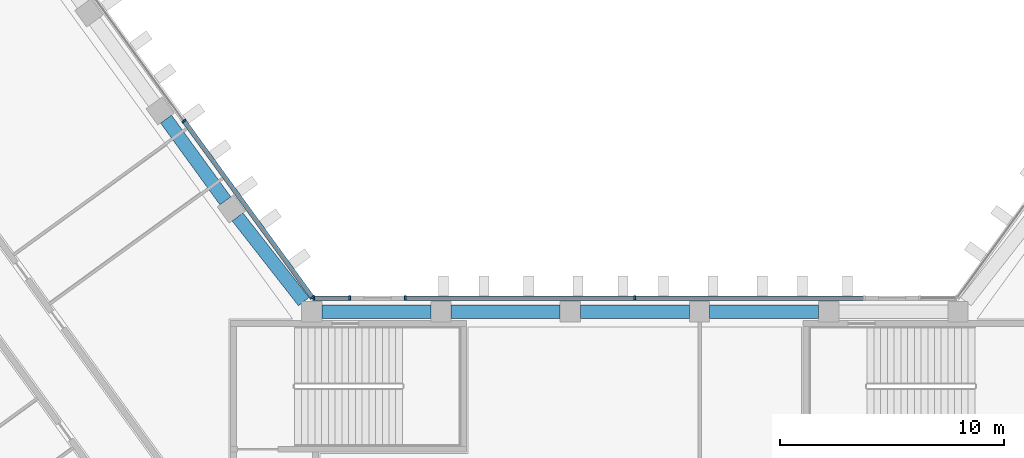
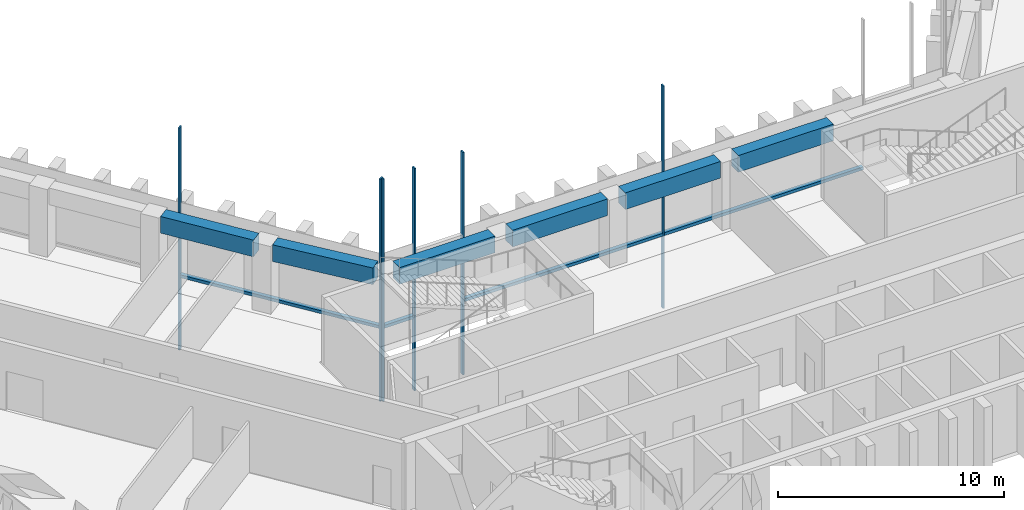
# One storey, part 3 of 16: 10 members, 6 beams, 3 elements without a shape of their own.
"""IFC4 building model written with IfcOpenShell, lengths in metres."""

from ifc_helpers import new_model, si_unit, direction, frame, origin, origin_2d, place, context, subcontext, project, spatial, rectangle, extrude, material, material_profile, profile_set, type_object, element, aggregate, save


model = new_model("IFC4")

# Units and contexts
model_context = context("Model", 3, precision=1e-05, world=origin(), true_north=direction((0.0, 1.0)))
body_context = subcontext(model_context, "Body", "Model", "MODEL_VIEW")
ifc_project = project(units=[si_unit("LENGTHUNIT", "METRE"), si_unit("AREAUNIT", "SQUARE_METRE"), si_unit("VOLUMEUNIT", "CUBIC_METRE"), si_unit("PLANEANGLEUNIT", "RADIAN"), si_unit("MASSUNIT", "GRAM", prefix="KILO")], contexts=[model_context])

# Site, building, storey
site_placement = place(None, origin())
site = spatial("IfcSite", under=ifc_project, at=site_placement, CompositionType="ELEMENT")
building_placement = place(site_placement, origin())
building = spatial("IfcBuilding", under=site, at=building_placement, Name="Quipu Civic Tower", CompositionType="ELEMENT")
storey_placement = place(building_placement, frame((0.0, 0.0, 89.0)))
storey = spatial("IfcBuildingStorey", under=building, at=storey_placement, Name="L20", CompositionType="ELEMENT", Elevation=89.0)

# Curtain wall, members
ifc_material_1 = material(Name="Insulated glass unit", Category="glass")
curtain_wall_type = type_object("IfcCurtainWallType", Name="Office curtain wall CW1", PredefinedType="NOTDEFINED", material=ifc_material_1)
curtain_wall_1_placement = place(storey_placement, origin())
curtain_wall_1 = element("IfcCurtainWall", 1, at=curtain_wall_1_placement, inside=storey, type_object=curtain_wall_type, Name="Office curtain wall CW1 L19 run 14", PredefinedType="NOTDEFINED")
ifc_material_2 = material(Name="Anodised aluminium", Category="aluminium")
ifc_material_profile_1 = material_profile(ifc_material_2, rectangle(XDim=0.199951171875, YDim=0.080078125, at=origin_2d()), Name="RECT 200x80")
ifc_profile_set_1 = profile_set([ifc_material_profile_1], Name="Anodised aluminium")
member_type_1 = type_object("IfcMemberType", Name="Mullion CW1", PredefinedType="MULLION", material=ifc_profile_set_1)
member_1_placement = place(storey_placement, frame((0.0, 11.10009765625, -3.919921875), z_axis=(0.0, 0.0, 1.0), x_axis=(0.0, -1.0, 0.0)))
member_1 = element("IfcMember", 2, at=member_1_placement, type_object=member_type_1, Name="CW1 mullion 2", PredefinedType="MULLION", context=body_context, shape_type="SweptSolid", body=[
    extrude(rectangle(XDim=0.199951171875, YDim=0.080078125, at=origin_2d()), origin(), (0.0, 0.0, 1.0), 12.0),
])
member_2_placement = place(storey_placement, frame((-10.223388671875, 11.10009765625, -3.919921875), z_axis=(0.0, 0.0, 1.0), x_axis=(0.0, -1.0, 0.0)))
member_2 = element("IfcMember", 3, at=member_2_placement, type_object=member_type_1, Name="CW1 mullion 3", PredefinedType="MULLION", context=body_context, shape_type="SweptSolid", body=[
    extrude(rectangle(XDim=0.199951171875, YDim=0.080078125, at=origin_2d()), origin(), (0.0, 0.0, 1.0), 12.0),
])

curtain_wall_2_placement = place(storey_placement, origin())
curtain_wall_2 = element("IfcCurtainWall", 4, at=curtain_wall_2_placement, inside=storey, type_object=curtain_wall_type, Name="Office curtain wall CW1 L19 run 16", PredefinedType="NOTDEFINED")
member_3_placement = place(storey_placement, frame((-12.695068359375, 11.10009765625, -3.919921875), z_axis=(0.0, 0.0, 1.0), x_axis=(0.0, -1.0, 0.0)))
member_3 = element("IfcMember", 5, at=member_3_placement, type_object=member_type_1, Name="CW1 mullion 1", PredefinedType="MULLION", context=body_context, shape_type="SweptSolid", body=[
    extrude(rectangle(XDim=0.199951171875, YDim=0.080078125, at=origin_2d()), origin(), (0.0, 0.0, 1.0), 12.0),
])
member_4_placement = place(storey_placement, frame((-14.30419921875, 11.10009765625, -3.919921875), z_axis=(0.0, 0.0, 1.0), x_axis=(0.0, -1.0, 0.0)))
member_4 = element("IfcMember", 6, at=member_4_placement, type_object=member_type_1, Name="CW1 mullion 2", PredefinedType="MULLION", context=body_context, shape_type="SweptSolid", body=[
    extrude(rectangle(XDim=0.199951171875, YDim=0.080078125, at=origin_2d()), origin(), (0.0, 0.0, 1.0), 12.0),
])

curtain_wall_3_placement = place(storey_placement, origin())
curtain_wall_3 = element("IfcCurtainWall", 7, at=curtain_wall_3_placement, inside=storey, type_object=curtain_wall_type, Name="Office curtain wall CW1 L19 run 17", PredefinedType="NOTDEFINED")
member_5_placement = place(storey_placement, frame((-14.36767578125, 11.13232421875, -3.919921875), z_axis=(0.0, 0.0, 1.0), x_axis=(-0.809016532822, -0.587785887566, 0.0)))
member_5 = element("IfcMember", 8, at=member_5_placement, type_object=member_type_1, Name="CW1 mullion 1", PredefinedType="MULLION", context=body_context, shape_type="SweptSolid", body=[
    extrude(rectangle(XDim=0.199951171875, YDim=0.080078125, at=origin_2d()), origin(), (0.0, 0.0, 1.0), 12.0),
])
member_6_placement = place(storey_placement, frame((-20.08154296875, 18.996826171875, -3.919921875), z_axis=(0.0, 0.0, 1.0), x_axis=(-0.809016532822, -0.587785887566, 0.0)))
member_6 = element("IfcMember", 9, at=member_6_placement, type_object=member_type_1, Name="CW1 mullion 2", PredefinedType="MULLION", context=body_context, shape_type="SweptSolid", body=[
    extrude(rectangle(XDim=0.199951171875, YDim=0.080078125, at=origin_2d()), origin(), (0.0, 0.0, 1.0), 12.0),
])

# Beams
ifc_material_3 = material(Name="Concrete C50/60", Category="concrete")
ifc_material_profile_2 = material_profile(ifc_material_3, rectangle(XDim=0.60009765625, YDim=0.89990234375, at=origin_2d()), Name="RC600x900")
ifc_profile_set_2 = profile_set([ifc_material_profile_2], Name="Concrete C50/60")
beam_type = type_object("IfcBeamType", Name="Spandrel beam RC 600x900 C50/60", PredefinedType="SPANDREL", material=ifc_profile_set_2)
beam_1_placement = place(storey_placement, frame((-18.238037109375, 15.43896484375, 3.199951171875), z_axis=(-0.587716763865, 0.809066749701, 0.0), x_axis=(-0.809066749701, -0.587716763865, 0.0)))
element("IfcBeam", 10, at=beam_1_placement, inside=storey, type_object=beam_type, Name="Spandrel beam L20 W-IN-01 to W-IN-02", PredefinedType="SPANDREL", context=body_context, shape_type="SweptSolid", body=[
    extrude(rectangle(XDim=0.60009765625, YDim=0.89990234375, at=origin_2d()), origin(), (0.0, 0.0, 1.0), 4.5),
])
for number, where, z_axis, x_axis, name in (
    (11, (8.18701171875, 10.5, 3.199951171875), (-1.0, 0.0, 0.0), (0.0, -1.0, 0.0), "Spandrel beam L20 FRONT-01 to FRONT-02"),
    (12, (2.428955078125, 10.5, 3.199951171875), (-1.0, 0.0, 0.0), (0.0, -1.0, 0.0), "Spandrel beam L20 FRONT-02 to FRONT-03"),
    (13, (-3.3291015625, 10.5, 3.199951171875), (-1.0, 0.0, 0.0), (0.0, -1.0, 0.0), "Spandrel beam L20 FRONT-03 to FRONT-04"),
):
    element("IfcBeam", number, at=place(storey_placement, frame(where, z_axis=z_axis, x_axis=x_axis)), inside=storey, type_object=beam_type, Name=name, PredefinedType="SPANDREL", context=body_context, shape_type="SweptSolid", body=[
        extrude(rectangle(XDim=0.60009765625, YDim=0.89990234375, at=origin_2d()), origin(), (0.0, 0.0, 1.0), 4.85791015625),
    ])
beam_2_placement = place(storey_placement, frame((-9.087158203125, 10.5, 3.199951171875), z_axis=(-1.0, 0.0, 0.0), x_axis=(0.0, -1.0, 0.0)))
element("IfcBeam", 14, at=beam_2_placement, inside=storey, type_object=beam_type, Name="Spandrel beam L20 FRONT-04 to J-Wi.0", PredefinedType="SPANDREL", context=body_context, shape_type="SweptSolid", body=[
    extrude(rectangle(XDim=0.60009765625, YDim=0.89990234375, at=origin_2d()), origin(), (0.0, 0.0, 1.0), 4.858154296875),
])
beam_3_placement = place(storey_placement, frame((-14.7470703125, 10.949951171875, 3.199951171875), z_axis=(-0.616123961998, 0.787649200756, 0.0), x_axis=(-0.787649200756, -0.616123961998, 0.0)))
element("IfcBeam", 15, at=beam_3_placement, inside=storey, type_object=beam_type, Name="Spandrel beam L20 J-Wi.0 to W-IN-01", PredefinedType="SPANDREL", context=body_context, shape_type="SweptSolid", body=[
    extrude(rectangle(XDim=0.60009765625, YDim=0.89990234375, at=origin_2d()), origin(), (0.0, 0.0, 1.0), 4.78662109375),
])

# Member
ifc_material_4 = material(Name="Anodised aluminium", Category="aluminium")
ifc_material_profile_3 = material_profile(ifc_material_4, rectangle(XDim=0.199951171875, YDim=0.159912109375, at=origin_2d()), Name="RECT 200x160")
ifc_profile_set_3 = profile_set([ifc_material_profile_3], Name="Anodised aluminium")
member_type_2 = type_object("IfcMemberType", Name="Transom CW1", PredefinedType="USERDEFINED", material=ifc_profile_set_3)
member_7_placement = place(storey_placement, frame((10.18359375, 11.10009765625, 0.080078125), z_axis=(-1.0, 0.0, 0.0), x_axis=(0.0, -1.0, 0.0)))
member_7 = element("IfcMember", 16, at=member_7_placement, type_object=member_type_2, Name="CW1 transom 1.2", ObjectType="TRANSOM", PredefinedType="USERDEFINED", context=body_context, shape_type="SweptSolid", body=[
    extrude(rectangle(XDim=0.199951171875, YDim=0.159912109375, at=origin_2d()), origin(), (0.0, 0.0, 1.0), 10.1435546875),
])

member_8_placement = place(storey_placement, frame((-0.0400390625, 11.10009765625, 0.080078125), z_axis=(-1.0, 0.0, 0.0), x_axis=(0.0, -1.0, 0.0)))
member_8 = element("IfcMember", 17, at=member_8_placement, type_object=member_type_2, Name="CW1 transom 2.2", ObjectType="TRANSOM", PredefinedType="USERDEFINED", context=body_context, shape_type="SweptSolid", body=[
    extrude(rectangle(XDim=0.199951171875, YDim=0.159912109375, at=origin_2d()), origin(), (0.0, 0.0, 1.0), 10.1435546875),
])

aggregate(curtain_wall_1, [member_1, member_2, member_7, member_8])

member_9_placement = place(storey_placement, frame((-12.735107421875, 11.10009765625, 0.080078125), z_axis=(-1.0, 0.0, 0.0), x_axis=(0.0, -1.0, 0.0)))
member_9 = element("IfcMember", 18, at=member_9_placement, type_object=member_type_2, Name="CW1 transom 1.2", ObjectType="TRANSOM", PredefinedType="USERDEFINED", context=body_context, shape_type="SweptSolid", body=[
    extrude(rectangle(XDim=0.199951171875, YDim=0.159912109375, at=origin_2d()), origin(), (0.0, 0.0, 1.0), 1.529052734375),
])

aggregate(curtain_wall_2, [member_3, member_4, member_9])

member_10_placement = place(storey_placement, frame((-14.39111328125, 11.164794921875, 0.080078125), z_axis=(-0.58779220199, 0.809011945079, 0.0), x_axis=(-0.809011945079, -0.58779220199, 0.0)))
member_10 = element("IfcMember", 19, at=member_10_placement, type_object=member_type_2, Name="CW1 transom 1.2", ObjectType="TRANSOM", PredefinedType="USERDEFINED", context=body_context, shape_type="SweptSolid", body=[
    extrude(rectangle(XDim=0.199951171875, YDim=0.159912109375, at=origin_2d()), origin(), (0.0, 0.0, 1.0), 9.64111328125),
])

aggregate(curtain_wall_3, [member_5, member_6, member_10])

save(model, "model.ifc")
